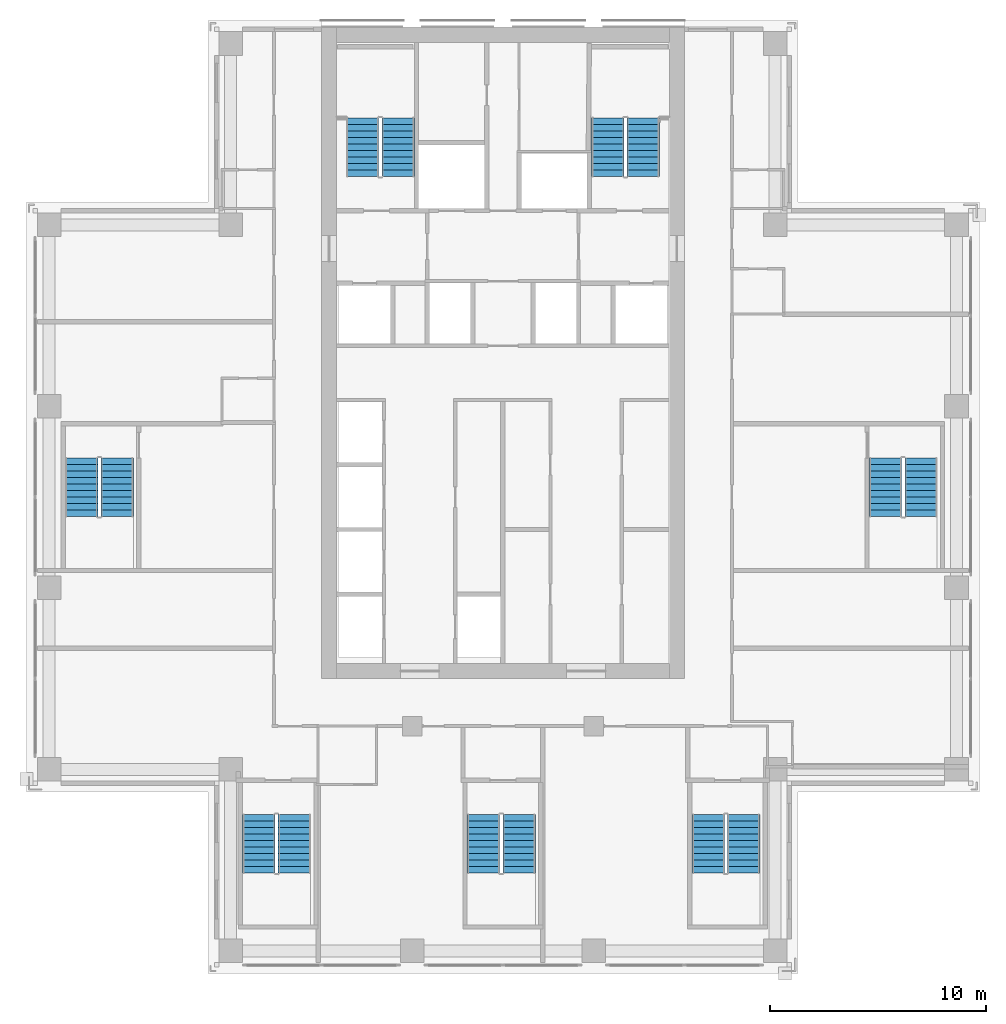
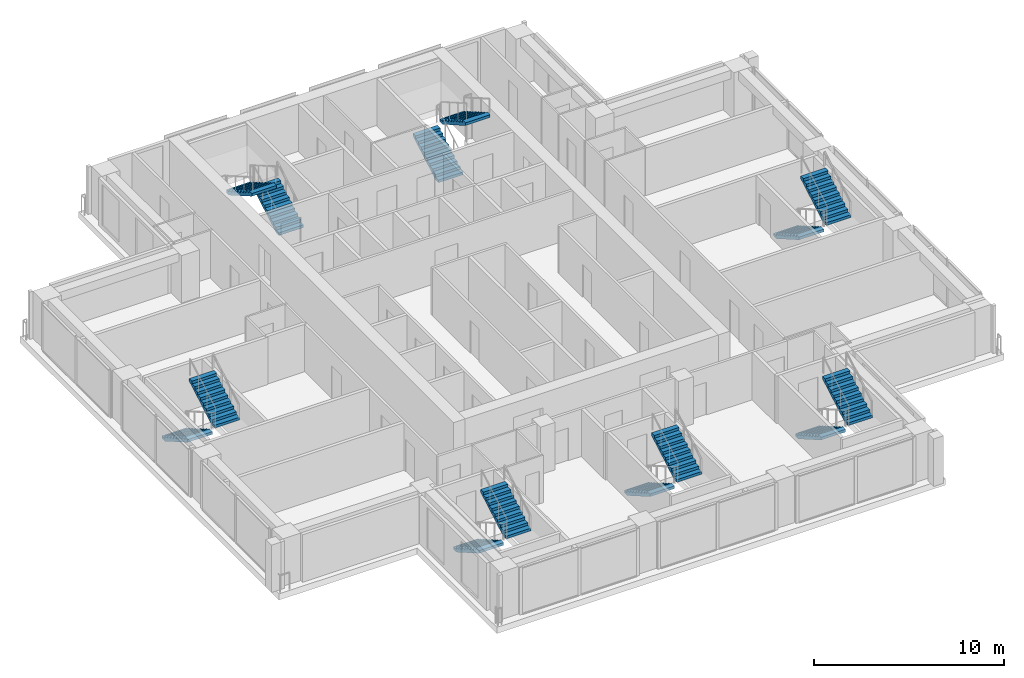
# One storey, part 13 of 16: 14 stair flights, 7 elements without a shape of their own.
"""IFC4 building model written with IfcOpenShell, lengths in metres."""

from ifc_helpers import new_model, si_unit, direction, frame, origin, place, context, subcontext, project, spatial, polyline, outline, extrude, material, type_object, element, aggregate, save


model = new_model("IFC4")

# Units and contexts
model_context = context("Model", 3, precision=1e-05, world=origin(), true_north=direction((0.0, 1.0)))
body_context = subcontext(model_context, "Body", "Model", "MODEL_VIEW")
ifc_project = project(units=[si_unit("LENGTHUNIT", "METRE"), si_unit("AREAUNIT", "SQUARE_METRE"), si_unit("VOLUMEUNIT", "CUBIC_METRE"), si_unit("PLANEANGLEUNIT", "RADIAN"), si_unit("MASSUNIT", "GRAM", prefix="KILO")], contexts=[model_context])

# Site, building, storey
site_placement = place(None, origin())
site = spatial("IfcSite", under=ifc_project, at=site_placement, CompositionType="ELEMENT")
building_placement = place(site_placement, origin())
building = spatial("IfcBuilding", under=site, at=building_placement, Name="Vermilion Ogive Tower", CompositionType="ELEMENT")
storey_placement = place(building_placement, frame((0.0, 0.0, 146.89990234375)))
storey = spatial("IfcBuildingStorey", under=building, at=storey_placement, Name="L37", CompositionType="ELEMENT", Elevation=146.89990234375)

# Stair, stair flights
ifc_material_1 = material(Name="Concrete B40", Category="concrete")
stair_type = type_object("IfcStairType", Name="Exit stair 1500", PredefinedType="HALF_TURN_STAIR", material=ifc_material_1)
stair_1_placement = place(storey_placement, origin())
stair_1 = element("IfcStair", 1, at=stair_1_placement, inside=storey, type_object=stair_type, Name="L37 Exit Stair ST1", PredefinedType="HALF_TURN_STAIR")
ifc_material_2 = material(Name="Concrete B40", Category="concrete")
stair_flight_type = type_object("IfcStairFlightType", Name="Stair flight 1500", PredefinedType="STRAIGHT", material=ifc_material_2)
stair_flight_1_placement = place(storey_placement, frame((-4.85009765625, 14.85009765625, 0.0), z_axis=(0.0, 0.0, 1.0), x_axis=(0.0, 1.0, 0.0)))
stair_flight_1 = element("IfcStairFlight", 2, at=stair_flight_1_placement, type_object=stair_flight_type, Name="ST1 flight 1", NumberOfRisers=10, NumberOfTreads=9, PredefinedType="STRAIGHT", RiserHeight=0.1725, TreadLength=0.3, context=body_context, shape_type="SweptSolid", body=[
    extrude(outline(polyline([(0.0, 0.0), (0.0, 0.172607421875), (0.300048828125, 0.172607421875), (0.300048828125, 0.344970703125), (0.60009765625, 0.344970703125), (0.60009765625, 0.517578125), (0.89990234375, 0.517578125), (0.89990234375, 0.68994140625), (1.199951171875, 0.68994140625), (1.199951171875, 0.862548828125), (1.5, 0.862548828125), (1.5, 1.034912109375), (1.800048828125, 1.034912109375), (1.800048828125, 1.20751953125), (2.10009765625, 1.20751953125), (2.10009765625, 1.3798828125), (2.39990234375, 1.3798828125), (2.39990234375, 1.552490234375), (2.699951171875, 1.552490234375), (2.699951171875, 1.72509765625), (2.699951171875, 1.379638671875), (0.30078125, 0.0), (0.0, 0.0)])), frame((0.0, 0.75, 0.0), z_axis=(0.0, -1.0, 0.0), x_axis=(1.0, 0.0, 0.0)), (0.0, 0.0, 1.0), 1.5),
])
stair_flight_2_placement = place(storey_placement, frame((-6.5, 17.550048828125, 1.72509765625), z_axis=(0.0, 0.0, 1.0), x_axis=(0.0, -1.0, 0.0)))
stair_flight_2 = element("IfcStairFlight", 3, at=stair_flight_2_placement, type_object=stair_flight_type, Name="ST1 flight 2", NumberOfRisers=10, NumberOfTreads=9, PredefinedType="STRAIGHT", RiserHeight=0.1725, TreadLength=0.3, context=body_context, shape_type="SweptSolid", body=[
    extrude(outline(polyline([(0.0, 0.0), (0.0, 0.172607421875), (0.300048828125, 0.172607421875), (0.300048828125, 0.344970703125), (0.60009765625, 0.344970703125), (0.60009765625, 0.517578125), (0.89990234375, 0.517578125), (0.89990234375, 0.68994140625), (1.199951171875, 0.68994140625), (1.199951171875, 0.862548828125), (1.5, 0.862548828125), (1.5, 1.034912109375), (1.800048828125, 1.034912109375), (1.800048828125, 1.20751953125), (2.10009765625, 1.20751953125), (2.10009765625, 1.3798828125), (2.39990234375, 1.3798828125), (2.39990234375, 1.552490234375), (2.699951171875, 1.552490234375), (2.699951171875, 1.72509765625), (2.699951171875, 1.379638671875), (0.30078125, 0.0), (0.0, 0.0)])), frame((0.0, 0.75, 0.0), z_axis=(0.0, -1.0, 0.0), x_axis=(1.0, 0.0, 0.0)), (0.0, 0.0, 1.0), 1.5),
])
aggregate(stair_1, [stair_flight_1, stair_flight_2])

stair_2_placement = place(storey_placement, origin())
stair_2 = element("IfcStair", 4, at=stair_2_placement, inside=storey, type_object=stair_type, Name="L37 Exit Stair ST2", PredefinedType="HALF_TURN_STAIR")
stair_flight_3_placement = place(storey_placement, frame((4.85009765625, 14.85009765625, 0.0), z_axis=(0.0, 0.0, 1.0), x_axis=(0.0, 1.0, 0.0)))
stair_flight_3 = element("IfcStairFlight", 5, at=stair_flight_3_placement, type_object=stair_flight_type, Name="ST2 flight 1", NumberOfRisers=10, NumberOfTreads=9, PredefinedType="STRAIGHT", RiserHeight=0.1725, TreadLength=0.3, context=body_context, shape_type="SweptSolid", body=[
    extrude(outline(polyline([(0.0, 0.0), (0.0, 0.172607421875), (0.300048828125, 0.172607421875), (0.300048828125, 0.344970703125), (0.60009765625, 0.344970703125), (0.60009765625, 0.517578125), (0.89990234375, 0.517578125), (0.89990234375, 0.68994140625), (1.199951171875, 0.68994140625), (1.199951171875, 0.862548828125), (1.5, 0.862548828125), (1.5, 1.034912109375), (1.800048828125, 1.034912109375), (1.800048828125, 1.20751953125), (2.10009765625, 1.20751953125), (2.10009765625, 1.3798828125), (2.39990234375, 1.3798828125), (2.39990234375, 1.552490234375), (2.699951171875, 1.552490234375), (2.699951171875, 1.72509765625), (2.699951171875, 1.379638671875), (0.30078125, 0.0), (0.0, 0.0)])), frame((0.0, 0.75, 0.0), z_axis=(0.0, -1.0, 0.0), x_axis=(1.0, 0.0, 0.0)), (0.0, 0.0, 1.0), 1.5),
])
stair_flight_4_placement = place(storey_placement, frame((6.5, 17.550048828125, 1.72509765625), z_axis=(0.0, 0.0, 1.0), x_axis=(0.0, -1.0, 0.0)))
stair_flight_4 = element("IfcStairFlight", 6, at=stair_flight_4_placement, type_object=stair_flight_type, Name="ST2 flight 2", NumberOfRisers=10, NumberOfTreads=9, PredefinedType="STRAIGHT", RiserHeight=0.1725, TreadLength=0.3, context=body_context, shape_type="SweptSolid", body=[
    extrude(outline(polyline([(0.0, 0.0), (0.0, 0.172607421875), (0.300048828125, 0.172607421875), (0.300048828125, 0.344970703125), (0.60009765625, 0.344970703125), (0.60009765625, 0.517578125), (0.89990234375, 0.517578125), (0.89990234375, 0.68994140625), (1.199951171875, 0.68994140625), (1.199951171875, 0.862548828125), (1.5, 0.862548828125), (1.5, 1.034912109375), (1.800048828125, 1.034912109375), (1.800048828125, 1.20751953125), (2.10009765625, 1.20751953125), (2.10009765625, 1.3798828125), (2.39990234375, 1.3798828125), (2.39990234375, 1.552490234375), (2.699951171875, 1.552490234375), (2.699951171875, 1.72509765625), (2.699951171875, 1.379638671875), (0.30078125, 0.0), (0.0, 0.0)])), frame((0.0, 0.75, 0.0), z_axis=(0.0, -1.0, 0.0), x_axis=(1.0, 0.0, 0.0)), (0.0, 0.0, 1.0), 1.5),
])
aggregate(stair_2, [stair_flight_3, stair_flight_4])

stair_3_placement = place(storey_placement, origin())
stair_3 = element("IfcStair", 7, at=stair_3_placement, inside=storey, type_object=stair_type, Name="L37 Exit Stair ST3", PredefinedType="HALF_TURN_STAIR")
stair_flight_5_placement = place(storey_placement, frame((-11.300048828125, -14.699951171875, 0.0), z_axis=(0.0, 0.0, 1.0), x_axis=(0.0, -1.0, 0.0)))
stair_flight_5 = element("IfcStairFlight", 8, at=stair_flight_5_placement, type_object=stair_flight_type, Name="ST3 flight 1", NumberOfRisers=10, NumberOfTreads=9, PredefinedType="STRAIGHT", RiserHeight=0.1725, TreadLength=0.3, context=body_context, shape_type="SweptSolid", body=[
    extrude(outline(polyline([(0.0, 0.0), (0.0, 0.172607421875), (0.300048828125, 0.172607421875), (0.300048828125, 0.344970703125), (0.60009765625, 0.344970703125), (0.60009765625, 0.517578125), (0.89990234375, 0.517578125), (0.89990234375, 0.68994140625), (1.199951171875, 0.68994140625), (1.199951171875, 0.862548828125), (1.5, 0.862548828125), (1.5, 1.034912109375), (1.800048828125, 1.034912109375), (1.800048828125, 1.20751953125), (2.10009765625, 1.20751953125), (2.10009765625, 1.3798828125), (2.39990234375, 1.3798828125), (2.39990234375, 1.552490234375), (2.699951171875, 1.552490234375), (2.699951171875, 1.72509765625), (2.699951171875, 1.379638671875), (0.30078125, 0.0), (0.0, 0.0)])), frame((0.0, 0.75, 0.0), z_axis=(0.0, -1.0, 0.0), x_axis=(1.0, 0.0, 0.0)), (0.0, 0.0, 1.0), 1.5),
])
stair_flight_6_placement = place(storey_placement, frame((-9.64990234375, -17.39990234375, 1.72509765625), z_axis=(0.0, 0.0, 1.0), x_axis=(0.0, 1.0, 0.0)))
stair_flight_6 = element("IfcStairFlight", 9, at=stair_flight_6_placement, type_object=stair_flight_type, Name="ST3 flight 2", NumberOfRisers=10, NumberOfTreads=9, PredefinedType="STRAIGHT", RiserHeight=0.1725, TreadLength=0.3, context=body_context, shape_type="SweptSolid", body=[
    extrude(outline(polyline([(0.0, 0.0), (0.0, 0.172607421875), (0.300048828125, 0.172607421875), (0.300048828125, 0.344970703125), (0.60009765625, 0.344970703125), (0.60009765625, 0.517578125), (0.89990234375, 0.517578125), (0.89990234375, 0.68994140625), (1.199951171875, 0.68994140625), (1.199951171875, 0.862548828125), (1.5, 0.862548828125), (1.5, 1.034912109375), (1.800048828125, 1.034912109375), (1.800048828125, 1.20751953125), (2.10009765625, 1.20751953125), (2.10009765625, 1.3798828125), (2.39990234375, 1.3798828125), (2.39990234375, 1.552490234375), (2.699951171875, 1.552490234375), (2.699951171875, 1.72509765625), (2.699951171875, 1.379638671875), (0.30078125, 0.0), (0.0, 0.0)])), frame((0.0, 0.75, 0.0), z_axis=(0.0, -1.0, 0.0), x_axis=(1.0, 0.0, 0.0)), (0.0, 0.0, 1.0), 1.5),
])
aggregate(stair_3, [stair_flight_5, stair_flight_6])

stair_4_placement = place(storey_placement, origin())
stair_4 = element("IfcStair", 10, at=stair_4_placement, inside=storey, type_object=stair_type, Name="L37 Exit Stair ST4", PredefinedType="HALF_TURN_STAIR")
stair_flight_7_placement = place(storey_placement, frame((-0.89990234375, -14.699951171875, 0.0), z_axis=(0.0, 0.0, 1.0), x_axis=(0.0, -1.0, 0.0)))
stair_flight_7 = element("IfcStairFlight", 11, at=stair_flight_7_placement, type_object=stair_flight_type, Name="ST4 flight 1", NumberOfRisers=10, NumberOfTreads=9, PredefinedType="STRAIGHT", RiserHeight=0.1725, TreadLength=0.3, context=body_context, shape_type="SweptSolid", body=[
    extrude(outline(polyline([(0.0, 0.0), (0.0, 0.172607421875), (0.300048828125, 0.172607421875), (0.300048828125, 0.344970703125), (0.60009765625, 0.344970703125), (0.60009765625, 0.517578125), (0.89990234375, 0.517578125), (0.89990234375, 0.68994140625), (1.199951171875, 0.68994140625), (1.199951171875, 0.862548828125), (1.5, 0.862548828125), (1.5, 1.034912109375), (1.800048828125, 1.034912109375), (1.800048828125, 1.20751953125), (2.10009765625, 1.20751953125), (2.10009765625, 1.3798828125), (2.39990234375, 1.3798828125), (2.39990234375, 1.552490234375), (2.699951171875, 1.552490234375), (2.699951171875, 1.72509765625), (2.699951171875, 1.379638671875), (0.30078125, 0.0), (0.0, 0.0)])), frame((0.0, 0.75, 0.0), z_axis=(0.0, -1.0, 0.0), x_axis=(1.0, 0.0, 0.0)), (0.0, 0.0, 1.0), 1.5),
])
stair_flight_8_placement = place(storey_placement, frame((0.75, -17.39990234375, 1.72509765625), z_axis=(0.0, 0.0, 1.0), x_axis=(0.0, 1.0, 0.0)))
stair_flight_8 = element("IfcStairFlight", 12, at=stair_flight_8_placement, type_object=stair_flight_type, Name="ST4 flight 2", NumberOfRisers=10, NumberOfTreads=9, PredefinedType="STRAIGHT", RiserHeight=0.1725, TreadLength=0.3, context=body_context, shape_type="SweptSolid", body=[
    extrude(outline(polyline([(0.0, 0.0), (0.0, 0.172607421875), (0.300048828125, 0.172607421875), (0.300048828125, 0.344970703125), (0.60009765625, 0.344970703125), (0.60009765625, 0.517578125), (0.89990234375, 0.517578125), (0.89990234375, 0.68994140625), (1.199951171875, 0.68994140625), (1.199951171875, 0.862548828125), (1.5, 0.862548828125), (1.5, 1.034912109375), (1.800048828125, 1.034912109375), (1.800048828125, 1.20751953125), (2.10009765625, 1.20751953125), (2.10009765625, 1.3798828125), (2.39990234375, 1.3798828125), (2.39990234375, 1.552490234375), (2.699951171875, 1.552490234375), (2.699951171875, 1.72509765625), (2.699951171875, 1.379638671875), (0.30078125, 0.0), (0.0, 0.0)])), frame((0.0, 0.75, 0.0), z_axis=(0.0, -1.0, 0.0), x_axis=(1.0, 0.0, 0.0)), (0.0, 0.0, 1.0), 1.5),
])
aggregate(stair_4, [stair_flight_7, stair_flight_8])

stair_5_placement = place(storey_placement, origin())
stair_5 = element("IfcStair", 13, at=stair_5_placement, inside=storey, type_object=stair_type, Name="L37 Exit Stair ST5", PredefinedType="HALF_TURN_STAIR")
stair_flight_9_placement = place(storey_placement, frame((9.5, -14.699951171875, 0.0), z_axis=(0.0, 0.0, 1.0), x_axis=(0.0, -1.0, 0.0)))
stair_flight_9 = element("IfcStairFlight", 14, at=stair_flight_9_placement, type_object=stair_flight_type, Name="ST5 flight 1", NumberOfRisers=10, NumberOfTreads=9, PredefinedType="STRAIGHT", RiserHeight=0.1725, TreadLength=0.3, context=body_context, shape_type="SweptSolid", body=[
    extrude(outline(polyline([(0.0, 0.0), (0.0, 0.172607421875), (0.300048828125, 0.172607421875), (0.300048828125, 0.344970703125), (0.60009765625, 0.344970703125), (0.60009765625, 0.517578125), (0.89990234375, 0.517578125), (0.89990234375, 0.68994140625), (1.199951171875, 0.68994140625), (1.199951171875, 0.862548828125), (1.5, 0.862548828125), (1.5, 1.034912109375), (1.800048828125, 1.034912109375), (1.800048828125, 1.20751953125), (2.10009765625, 1.20751953125), (2.10009765625, 1.3798828125), (2.39990234375, 1.3798828125), (2.39990234375, 1.552490234375), (2.699951171875, 1.552490234375), (2.699951171875, 1.72509765625), (2.699951171875, 1.379638671875), (0.30078125, 0.0), (0.0, 0.0)])), frame((0.0, 0.75, 0.0), z_axis=(0.0, -1.0, 0.0), x_axis=(1.0, 0.0, 0.0)), (0.0, 0.0, 1.0), 1.5),
])
stair_flight_10_placement = place(storey_placement, frame((11.14990234375, -17.39990234375, 1.72509765625), z_axis=(0.0, 0.0, 1.0), x_axis=(0.0, 1.0, 0.0)))
stair_flight_10 = element("IfcStairFlight", 15, at=stair_flight_10_placement, type_object=stair_flight_type, Name="ST5 flight 2", NumberOfRisers=10, NumberOfTreads=9, PredefinedType="STRAIGHT", RiserHeight=0.1725, TreadLength=0.3, context=body_context, shape_type="SweptSolid", body=[
    extrude(outline(polyline([(0.0, 0.0), (0.0, 0.172607421875), (0.300048828125, 0.172607421875), (0.300048828125, 0.344970703125), (0.60009765625, 0.344970703125), (0.60009765625, 0.517578125), (0.89990234375, 0.517578125), (0.89990234375, 0.68994140625), (1.199951171875, 0.68994140625), (1.199951171875, 0.862548828125), (1.5, 0.862548828125), (1.5, 1.034912109375), (1.800048828125, 1.034912109375), (1.800048828125, 1.20751953125), (2.10009765625, 1.20751953125), (2.10009765625, 1.3798828125), (2.39990234375, 1.3798828125), (2.39990234375, 1.552490234375), (2.699951171875, 1.552490234375), (2.699951171875, 1.72509765625), (2.699951171875, 1.379638671875), (0.30078125, 0.0), (0.0, 0.0)])), frame((0.0, 0.75, 0.0), z_axis=(0.0, -1.0, 0.0), x_axis=(1.0, 0.0, 0.0)), (0.0, 0.0, 1.0), 1.5),
])
aggregate(stair_5, [stair_flight_9, stair_flight_10])

stair_6_placement = place(storey_placement, origin())
stair_6 = element("IfcStair", 16, at=stair_6_placement, inside=storey, type_object=stair_type, Name="L37 Exit Stair ST8", PredefinedType="HALF_TURN_STAIR")
stair_flight_11_placement = place(storey_placement, frame((17.699951171875, 1.800048828125, 0.0), z_axis=(0.0, 0.0, 1.0), x_axis=(0.0, -1.0, 0.0)))
stair_flight_11 = element("IfcStairFlight", 17, at=stair_flight_11_placement, type_object=stair_flight_type, Name="ST8 flight 1", NumberOfRisers=10, NumberOfTreads=9, PredefinedType="STRAIGHT", RiserHeight=0.1725, TreadLength=0.3, context=body_context, shape_type="SweptSolid", body=[
    extrude(outline(polyline([(0.0, 0.0), (0.0, 0.172607421875), (0.300048828125, 0.172607421875), (0.300048828125, 0.344970703125), (0.60009765625, 0.344970703125), (0.60009765625, 0.517578125), (0.89990234375, 0.517578125), (0.89990234375, 0.68994140625), (1.199951171875, 0.68994140625), (1.199951171875, 0.862548828125), (1.5, 0.862548828125), (1.5, 1.034912109375), (1.800048828125, 1.034912109375), (1.800048828125, 1.20751953125), (2.10009765625, 1.20751953125), (2.10009765625, 1.3798828125), (2.39990234375, 1.3798828125), (2.39990234375, 1.552490234375), (2.699951171875, 1.552490234375), (2.699951171875, 1.72509765625), (2.699951171875, 1.379638671875), (0.30078125, 0.0), (0.0, 0.0)])), frame((0.0, 0.75, 0.0), z_axis=(0.0, -1.0, 0.0), x_axis=(1.0, 0.0, 0.0)), (0.0, 0.0, 1.0), 1.5),
])
stair_flight_12_placement = place(storey_placement, frame((19.35009765625, -0.89990234375, 1.72509765625), z_axis=(0.0, 0.0, 1.0), x_axis=(0.0, 1.0, 0.0)))
stair_flight_12 = element("IfcStairFlight", 18, at=stair_flight_12_placement, type_object=stair_flight_type, Name="ST8 flight 2", NumberOfRisers=10, NumberOfTreads=9, PredefinedType="STRAIGHT", RiserHeight=0.1725, TreadLength=0.3, context=body_context, shape_type="SweptSolid", body=[
    extrude(outline(polyline([(0.0, 0.0), (0.0, 0.172607421875), (0.300048828125, 0.172607421875), (0.300048828125, 0.344970703125), (0.60009765625, 0.344970703125), (0.60009765625, 0.517578125), (0.89990234375, 0.517578125), (0.89990234375, 0.68994140625), (1.199951171875, 0.68994140625), (1.199951171875, 0.862548828125), (1.5, 0.862548828125), (1.5, 1.034912109375), (1.800048828125, 1.034912109375), (1.800048828125, 1.20751953125), (2.10009765625, 1.20751953125), (2.10009765625, 1.3798828125), (2.39990234375, 1.3798828125), (2.39990234375, 1.552490234375), (2.699951171875, 1.552490234375), (2.699951171875, 1.72509765625), (2.699951171875, 1.379638671875), (0.30078125, 0.0), (0.0, 0.0)])), frame((0.0, 0.75, 0.0), z_axis=(0.0, -1.0, 0.0), x_axis=(1.0, 0.0, 0.0)), (0.0, 0.0, 1.0), 1.5),
])
aggregate(stair_6, [stair_flight_11, stair_flight_12])

stair_7_placement = place(storey_placement, origin())
stair_7 = element("IfcStair", 19, at=stair_7_placement, inside=storey, type_object=stair_type, Name="L37 Exit Stair ST9", PredefinedType="HALF_TURN_STAIR")
stair_flight_13_placement = place(storey_placement, frame((-19.5, 1.800048828125, 0.0), z_axis=(0.0, 0.0, 1.0), x_axis=(0.0, -1.0, 0.0)))
stair_flight_13 = element("IfcStairFlight", 20, at=stair_flight_13_placement, type_object=stair_flight_type, Name="ST9 flight 1", NumberOfRisers=10, NumberOfTreads=9, PredefinedType="STRAIGHT", RiserHeight=0.1725, TreadLength=0.3, context=body_context, shape_type="SweptSolid", body=[
    extrude(outline(polyline([(0.0, 0.0), (0.0, 0.172607421875), (0.300048828125, 0.172607421875), (0.300048828125, 0.344970703125), (0.60009765625, 0.344970703125), (0.60009765625, 0.517578125), (0.89990234375, 0.517578125), (0.89990234375, 0.68994140625), (1.199951171875, 0.68994140625), (1.199951171875, 0.862548828125), (1.5, 0.862548828125), (1.5, 1.034912109375), (1.800048828125, 1.034912109375), (1.800048828125, 1.20751953125), (2.10009765625, 1.20751953125), (2.10009765625, 1.3798828125), (2.39990234375, 1.3798828125), (2.39990234375, 1.552490234375), (2.699951171875, 1.552490234375), (2.699951171875, 1.72509765625), (2.699951171875, 1.379638671875), (0.30078125, 0.0), (0.0, 0.0)])), frame((0.0, 0.75, 0.0), z_axis=(0.0, -1.0, 0.0), x_axis=(1.0, 0.0, 0.0)), (0.0, 0.0, 1.0), 1.5),
])
stair_flight_14_placement = place(storey_placement, frame((-17.85009765625, -0.89990234375, 1.72509765625), z_axis=(0.0, 0.0, 1.0), x_axis=(0.0, 1.0, 0.0)))
stair_flight_14 = element("IfcStairFlight", 21, at=stair_flight_14_placement, type_object=stair_flight_type, Name="ST9 flight 2", NumberOfRisers=10, NumberOfTreads=9, PredefinedType="STRAIGHT", RiserHeight=0.1725, TreadLength=0.3, context=body_context, shape_type="SweptSolid", body=[
    extrude(outline(polyline([(0.0, 0.0), (0.0, 0.172607421875), (0.300048828125, 0.172607421875), (0.300048828125, 0.344970703125), (0.60009765625, 0.344970703125), (0.60009765625, 0.517578125), (0.89990234375, 0.517578125), (0.89990234375, 0.68994140625), (1.199951171875, 0.68994140625), (1.199951171875, 0.862548828125), (1.5, 0.862548828125), (1.5, 1.034912109375), (1.800048828125, 1.034912109375), (1.800048828125, 1.20751953125), (2.10009765625, 1.20751953125), (2.10009765625, 1.3798828125), (2.39990234375, 1.3798828125), (2.39990234375, 1.552490234375), (2.699951171875, 1.552490234375), (2.699951171875, 1.72509765625), (2.699951171875, 1.379638671875), (0.30078125, 0.0), (0.0, 0.0)])), frame((0.0, 0.75, 0.0), z_axis=(0.0, -1.0, 0.0), x_axis=(1.0, 0.0, 0.0)), (0.0, 0.0, 1.0), 1.5),
])
aggregate(stair_7, [stair_flight_13, stair_flight_14])

save(model, "model.ifc")
